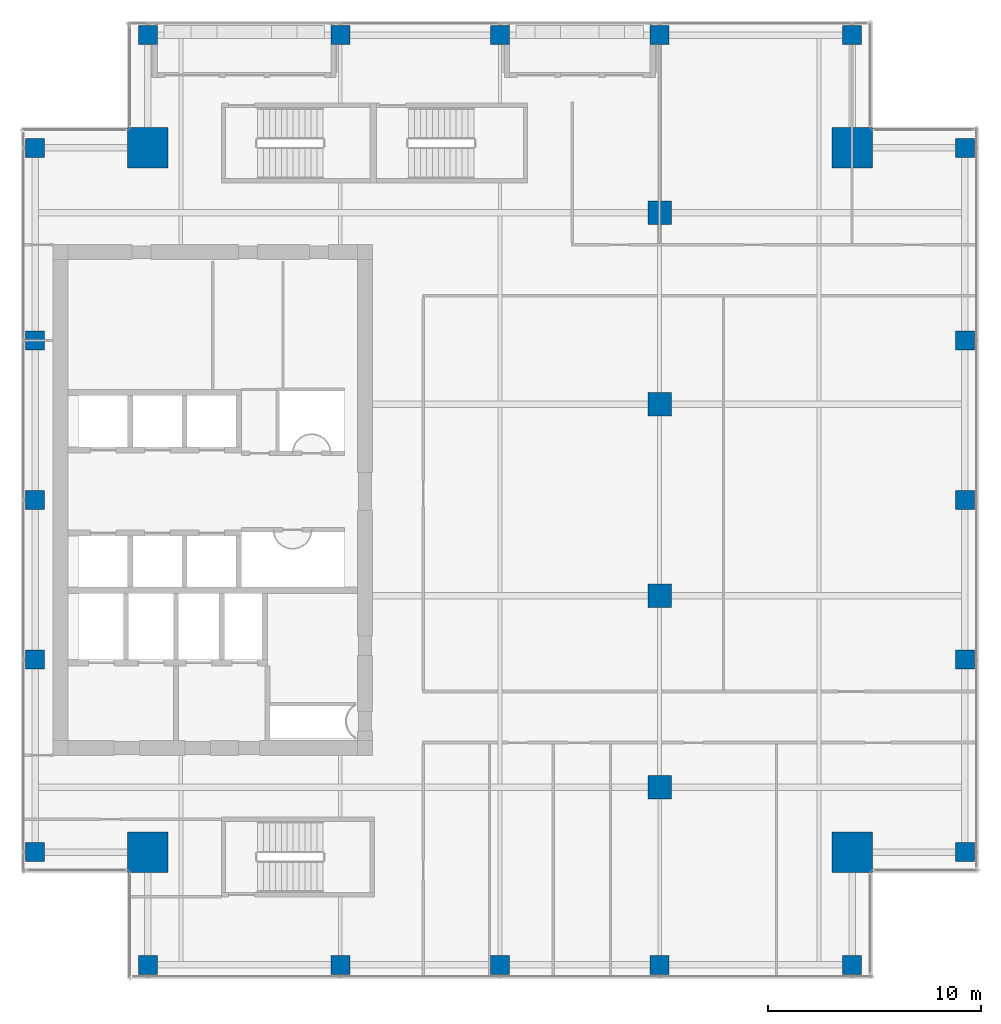
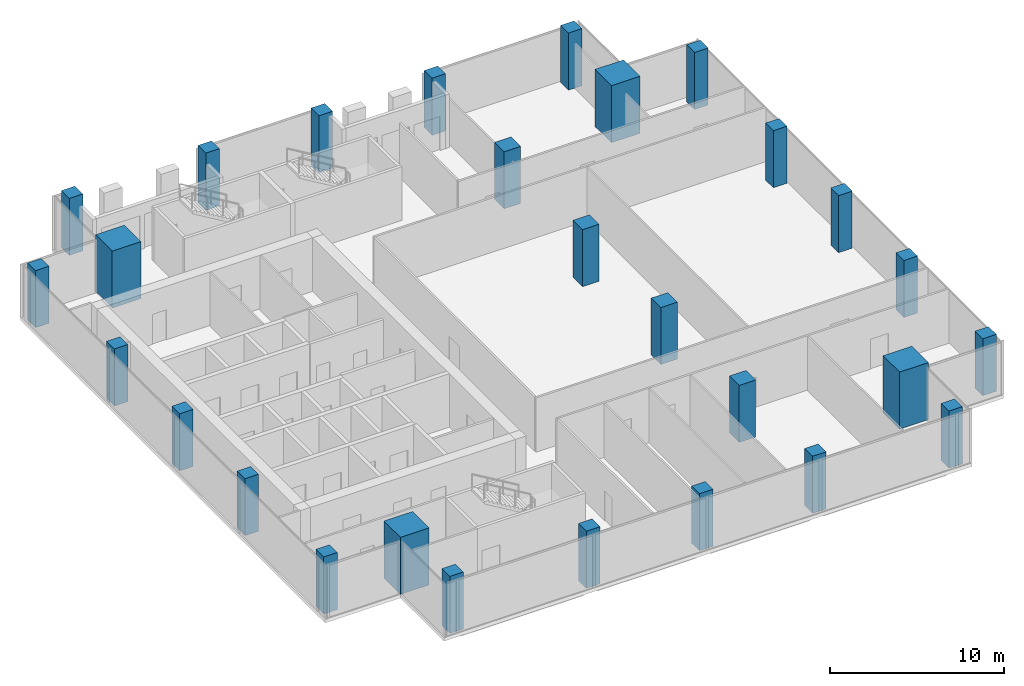
# One storey, part 1 of 35: 28 columns.
"""IFC4 building model written with IfcOpenShell, lengths in metres."""

from ifc_helpers import new_model, si_unit, direction, frame, origin, origin_2d, place, context, subcontext, project, spatial, rectangle, extrude, source, transform, mapped, material, material_profile, profile_set, type_object, element, save


model = new_model("IFC4")

# Units and contexts
model_context = context("Model", 3, precision=1e-05, world=origin(), true_north=direction((0.0, 1.0)))
body_context = subcontext(model_context, "Body", "Model", "MODEL_VIEW")
ifc_project = project(units=[si_unit("LENGTHUNIT", "METRE"), si_unit("AREAUNIT", "SQUARE_METRE"), si_unit("VOLUMEUNIT", "CUBIC_METRE"), si_unit("PLANEANGLEUNIT", "RADIAN"), si_unit("MASSUNIT", "GRAM", prefix="KILO")], contexts=[model_context])

# Site, building, storey
site_placement = place(None, origin())
site = spatial("IfcSite", under=ifc_project, at=site_placement, CompositionType="ELEMENT")
building_placement = place(site_placement, origin())
building = spatial("IfcBuilding", under=site, at=building_placement, Name="Khomas Fold Tower", CompositionType="ELEMENT")
storey_placement = place(building_placement, frame((0.0, 0.0, 270.199951171875)))
storey = spatial("IfcBuildingStorey", under=building, at=storey_placement, Name="L61", CompositionType="ELEMENT", Elevation=270.199951171875)

# Columns
ifc_material_1 = material(Name="Concrete C60/75", Category="concrete")
ifc_material_profile_1 = material_profile(ifc_material_1, rectangle(XDim=1.89990234375, YDim=1.89990234375, at=origin_2d()), Name="RC 1900x1900")
ifc_profile_set_1 = profile_set([ifc_material_profile_1], Name="Concrete C60/75")
column_type_1 = type_object("IfcColumnType", Name="RC 1900x1900 column", PredefinedType="COLUMN", material=ifc_profile_set_1)
shared_shape_1 = source(origin(), body_context, "Body", "SweptSolid", [
    extrude(rectangle(XDim=1.89990234375, YDim=1.89990234375, at=origin_2d()), origin(), (0.0, 0.0, 1.0), 4.0),
])
for number, where, z_axis, x_axis, name in (
    (1, (43.550048828125, 43.550048828125, 0.0), (0.0, 0.0, 1.0), (1.0, 0.0, 0.0), "CM-NE"),
    (2, (10.449951171875, 43.550048828125, 0.0), (0.0, 0.0, 1.0), (1.0, 0.0, 0.0), "CM-NW"),
    (3, (43.550048828125, 10.449951171875, 0.0), (0.0, 0.0, 1.0), (1.0, 0.0, 0.0), "CM-SE"),
    (4, (10.449951171875, 10.449951171875, 0.0), (0.0, 0.0, 1.0), (1.0, 0.0, 0.0), "CM-SW"),
):
    element("IfcColumn", number, at=place(storey_placement, frame(where, z_axis=z_axis, x_axis=x_axis)), inside=storey, type_object=column_type_1, Name=name, PredefinedType="COLUMN", context=body_context, shape_type="MappedRepresentation", body=[
        mapped(shared_shape_1, transform((0.0, 0.0, 0.0))),
    ])
ifc_material_2 = material(Name="Concrete C50/60", Category="concrete")
ifc_material_profile_2 = material_profile(ifc_material_2, rectangle(XDim=0.89990234375, YDim=0.89990234375, at=origin_2d()), Name="RC 900x900")
ifc_profile_set_2 = profile_set([ifc_material_profile_2], Name="Concrete C50/60")
column_type_2 = type_object("IfcColumnType", Name="RC 900x900 column", PredefinedType="COLUMN", material=ifc_profile_set_2)
shared_shape_2 = source(origin(), body_context, "Body", "SweptSolid", [
    extrude(rectangle(XDim=0.89990234375, YDim=0.89990234375, at=origin_2d()), origin(), (0.0, 0.0, 1.0), 4.0),
])
for number, where, z_axis, x_axis, name in (
    (5, (10.449951171875, 5.14990234375, 0.0), (0.0, 0.0, 1.0), (1.0, 0.0, 0.0), "C-5-SF4"),
    (6, (19.5, 5.14990234375, 0.0), (0.0, 0.0, 1.0), (1.0, 0.0, 0.0), "C-8-SF4"),
    (7, (27.0, 5.14990234375, 0.0), (0.0, 0.0, 1.0), (1.0, 0.0, 0.0), "C-9-SF4"),
    (8, (34.5, 5.14990234375, 0.0), (0.0, 0.0, 1.0), (1.0, 0.0, 0.0), "C-10-SF4"),
    (9, (43.550048828125, 5.14990234375, 0.0), (0.0, 0.0, 1.0), (1.0, 0.0, 0.0), "C-14-SF4"),
    (10, (48.85009765625, 10.449951171875, 0.0), (0.0, 0.0, 1.0), (1.0, 0.0, 0.0), "C-E4-E"),
    (11, (48.85009765625, 19.5, 0.0), (0.0, 0.0, 1.0), (1.0, 0.0, 0.0), "C-E4-J"),
    (12, (48.85009765625, 27.0, 0.0), (0.0, 0.0, 1.0), (1.0, 0.0, 0.0), "C-E4-L"),
    (13, (48.85009765625, 34.5, 0.0), (0.0, 0.0, 1.0), (1.0, 0.0, 0.0), "C-E4-N"),
    (14, (48.85009765625, 43.550048828125, 0.0), (0.0, 0.0, 1.0), (1.0, 0.0, 0.0), "C-E4-S"),
    (15, (10.449951171875, 48.85009765625, 0.0), (0.0, 0.0, 1.0), (1.0, 0.0, 0.0), "C-5-NF4"),
    (16, (19.5, 48.85009765625, 0.0), (0.0, 0.0, 1.0), (1.0, 0.0, 0.0), "C-8-NF4"),
    (17, (27.0, 48.85009765625, 0.0), (0.0, 0.0, 1.0), (1.0, 0.0, 0.0), "C-9-NF4"),
    (18, (34.5, 48.85009765625, 0.0), (0.0, 0.0, 1.0), (1.0, 0.0, 0.0), "C-10-NF4"),
    (19, (43.550048828125, 48.85009765625, 0.0), (0.0, 0.0, 1.0), (1.0, 0.0, 0.0), "C-14-NF4"),
    (20, (5.14990234375, 10.449951171875, 0.0), (0.0, 0.0, 1.0), (1.0, 0.0, 0.0), "C-W4-E"),
    (21, (5.14990234375, 19.5, 0.0), (0.0, 0.0, 1.0), (1.0, 0.0, 0.0), "C-W4-J"),
    (22, (5.14990234375, 27.0, 0.0), (0.0, 0.0, 1.0), (1.0, 0.0, 0.0), "C-W4-L"),
    (23, (5.14990234375, 34.5, 0.0), (0.0, 0.0, 1.0), (1.0, 0.0, 0.0), "C-W4-N"),
    (24, (5.14990234375, 43.550048828125, 0.0), (0.0, 0.0, 1.0), (1.0, 0.0, 0.0), "C-W4-S"),
):
    element("IfcColumn", number, at=place(storey_placement, frame(where, z_axis=z_axis, x_axis=x_axis)), inside=storey, type_object=column_type_2, Name=name, PredefinedType="COLUMN", context=body_context, shape_type="MappedRepresentation", body=[
        mapped(shared_shape_2, transform((0.0, 0.0, 0.0))),
    ])
ifc_material_3 = material(Name="Concrete C50/60", Category="concrete")
ifc_material_profile_3 = material_profile(ifc_material_3, rectangle(XDim=1.10009765625, YDim=1.10009765625, at=origin_2d()), Name="RC 1100x1100")
ifc_profile_set_3 = profile_set([ifc_material_profile_3], Name="Concrete C50/60")
column_type_3 = type_object("IfcColumnType", Name="RC 1100x1100 column", PredefinedType="COLUMN", material=ifc_profile_set_3)
shared_shape_3 = source(origin(), body_context, "Body", "SweptSolid", [
    extrude(rectangle(XDim=1.10009765625, YDim=1.10009765625, at=origin_2d()), origin(), (0.0, 0.0, 1.0), 4.0),
])
for number, where, z_axis, x_axis, name in (
    (25, (34.5, 13.5, 0.0), (0.0, 0.0, 1.0), (1.0, 0.0, 0.0), "C-10-H"),
    (26, (34.5, 22.5, 0.0), (0.0, 0.0, 1.0), (1.0, 0.0, 0.0), "C-10-K"),
    (27, (34.5, 31.5, 0.0), (0.0, 0.0, 1.0), (1.0, 0.0, 0.0), "C-10-M"),
    (28, (34.5, 40.5, 0.0), (0.0, 0.0, 1.0), (1.0, 0.0, 0.0), "C-10-P"),
):
    element("IfcColumn", number, at=place(storey_placement, frame(where, z_axis=z_axis, x_axis=x_axis)), inside=storey, type_object=column_type_3, Name=name, PredefinedType="COLUMN", context=body_context, shape_type="MappedRepresentation", body=[
        mapped(shared_shape_3, transform((0.0, 0.0, 0.0))),
    ])

save(model, "model.ifc")
